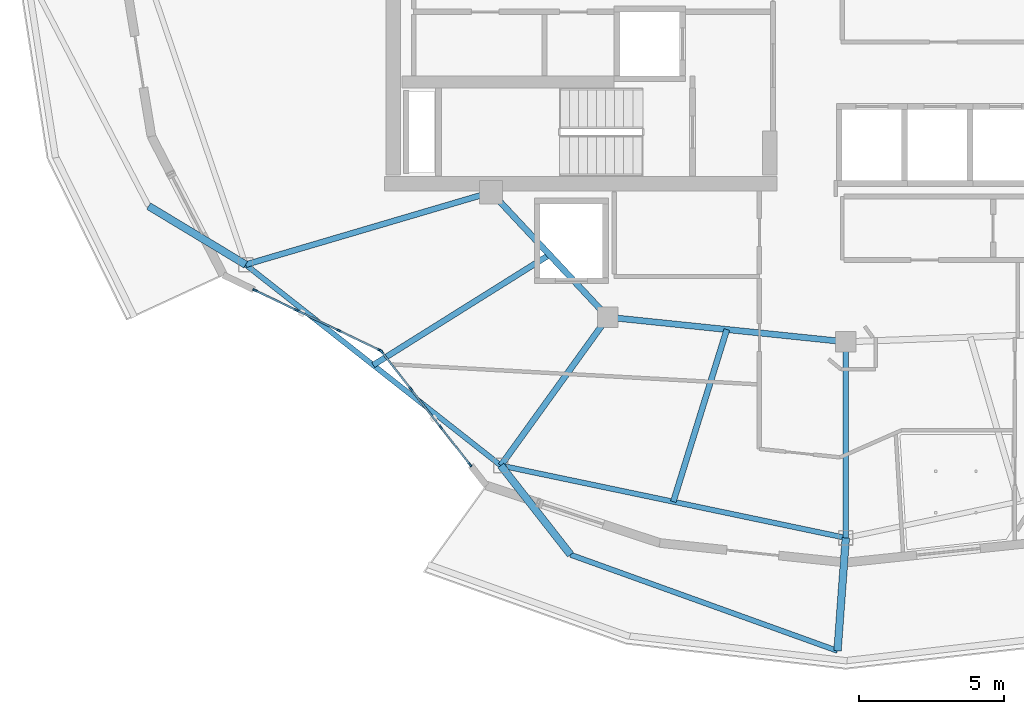
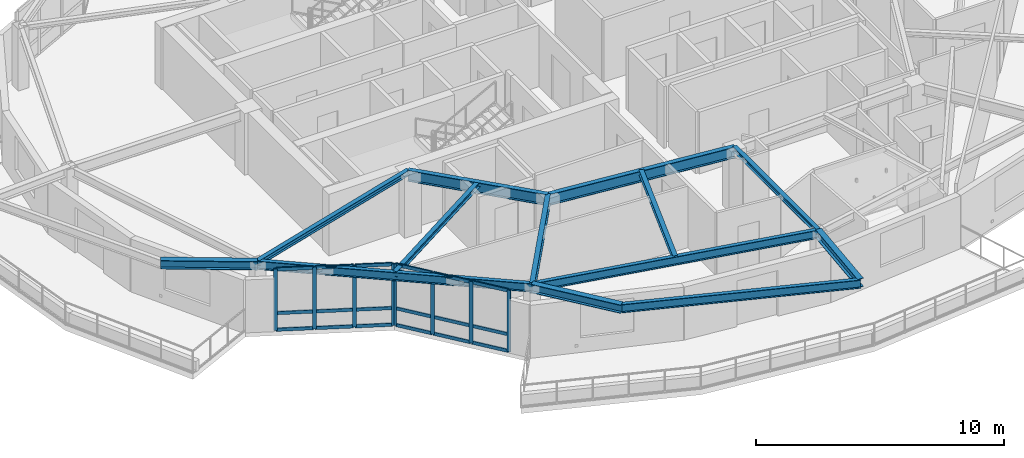
# One storey, part 2 of 19: 26 members, 13 beams, 2 elements without a shape of their own.
"""IFC4 building model written with IfcOpenShell, lengths in metres."""

from ifc_helpers import new_model, si_unit, direction, frame, origin, origin_2d, place, context, subcontext, project, spatial, rectangle, i_section, extrude, material, layer, layer_set, material_profile, profile_set, type_object, element, aggregate, save


model = new_model("IFC4")

# Units and contexts
model_context = context("Model", 3, precision=1e-05, world=origin(), true_north=direction((0.0, 1.0)))
body_context = subcontext(model_context, "Body", "Model", "MODEL_VIEW")
ifc_project = project(units=[si_unit("LENGTHUNIT", "METRE"), si_unit("AREAUNIT", "SQUARE_METRE"), si_unit("VOLUMEUNIT", "CUBIC_METRE"), si_unit("PLANEANGLEUNIT", "RADIAN"), si_unit("MASSUNIT", "GRAM", prefix="KILO")], contexts=[model_context])

# Site, building, storey
site_placement = place(None, origin())
site = spatial("IfcSite", under=ifc_project, at=site_placement, CompositionType="ELEMENT")
building_placement = place(site_placement, origin())
building = spatial("IfcBuilding", under=site, at=building_placement, Name="Kolvaren Gate Tower and Convention Centre", CompositionType="ELEMENT")
storey_placement = place(building_placement, frame((0.0, 0.0, 212.89990234375)))
storey = spatial("IfcBuildingStorey", under=building, at=storey_placement, Name="L56", CompositionType="ELEMENT", Elevation=212.89990234375)

# Curtain wall, members
ifc_material_1 = material(Name="Anodized Architectural Aluminium Alloy 6063-T6", Category="aluminium")
ifc_layer = layer(ifc_material_1, 0.159912109375)
ifc_layer_set = layer_set([ifc_layer], Name="Anodized Architectural Aluminium Alloy 6063-T6")
curtain_wall_type = type_object("IfcCurtainWallType", Name="CW-RES-UNIT", PredefinedType="NOTDEFINED", material=ifc_layer_set)
curtain_wall_1_placement = place(storey_placement, origin())
curtain_wall_1 = element("IfcCurtainWall", 1, at=curtain_wall_1_placement, inside=storey, type_object=curtain_wall_type, Name="Tower L56 Unitised Curtain Wall CW-RES-UNIT Bay 14", PredefinedType="NOTDEFINED")
ifc_material_profile_1 = material_profile(ifc_material_1, rectangle(XDim=0.06494140625, YDim=0.159912109375, at=origin_2d()), Name="CW-MEM-MUL-160")
ifc_profile_set_1 = profile_set([ifc_material_profile_1], Name="Anodized Architectural Aluminium Alloy 6063-T6")
member_type_1 = type_object("IfcMemberType", Name="CW-MEM-MUL-160", PredefinedType="MULLION", material=ifc_profile_set_1)
member_1_placement = place(storey_placement, frame((9.78466796875, 16.574462890625, 0.0), z_axis=(0.0, 0.0, 1.0), x_axis=(0.433065576861, 0.901362416644, 0.0)))
member_1 = element("IfcMember", 2, at=member_1_placement, type_object=member_type_1, Name="CW-04 mullion 1", PredefinedType="MULLION", context=body_context, shape_type="SweptSolid", body=[
    extrude(rectangle(XDim=0.06494140625, YDim=0.159912109375, at=origin_2d()), origin(), (0.0, 0.0, 1.0), 3.030029296875),
])
member_2_placement = place(storey_placement, frame((11.20947265625, 15.889892578125, 0.0), z_axis=(0.0, 0.0, 1.0), x_axis=(0.433065576861, 0.901362416644, 0.0)))
member_2 = element("IfcMember", 3, at=member_2_placement, type_object=member_type_1, Name="CW-04 mullion 2", PredefinedType="MULLION", context=body_context, shape_type="SweptSolid", body=[
    extrude(rectangle(XDim=0.06494140625, YDim=0.159912109375, at=origin_2d()), origin(), (0.0, 0.0, 1.0), 3.030029296875),
])
member_3_placement = place(storey_placement, frame((12.66357421875, 15.19140625, 0.0), z_axis=(0.0, 0.0, 1.0), x_axis=(0.433065576861, 0.901362416644, 0.0)))
member_3 = element("IfcMember", 4, at=member_3_placement, type_object=member_type_1, Name="CW-04 mullion 3", PredefinedType="MULLION", context=body_context, shape_type="SweptSolid", body=[
    extrude(rectangle(XDim=0.06494140625, YDim=0.159912109375, at=origin_2d()), origin(), (0.0, 0.0, 1.0), 3.030029296875),
])
member_4_placement = place(storey_placement, frame((14.088134765625, 14.5068359375, 0.0), z_axis=(0.0, 0.0, 1.0), x_axis=(0.433065576861, 0.901362416644, 0.0)))
member_4 = element("IfcMember", 5, at=member_4_placement, type_object=member_type_1, Name="CW-04 mullion 4", PredefinedType="MULLION", context=body_context, shape_type="SweptSolid", body=[
    extrude(rectangle(XDim=0.06494140625, YDim=0.159912109375, at=origin_2d()), origin(), (0.0, 0.0, 1.0), 3.030029296875),
])

curtain_wall_2_placement = place(storey_placement, origin())
curtain_wall_2 = element("IfcCurtainWall", 6, at=curtain_wall_2_placement, inside=storey, type_object=curtain_wall_type, Name="Tower L56 Unitised Curtain Wall CW-RES-UNIT Bay 15", PredefinedType="NOTDEFINED")
member_5_placement = place(storey_placement, frame((14.137451171875, 14.467041015625, 0.0), z_axis=(0.0, 0.0, 1.0), x_axis=(0.787409932974, 0.616429718179, 0.0)))
member_5 = element("IfcMember", 7, at=member_5_placement, type_object=member_type_1, Name="CW-04 mullion 1", PredefinedType="MULLION", context=body_context, shape_type="SweptSolid", body=[
    extrude(rectangle(XDim=0.06494140625, YDim=0.159912109375, at=origin_2d()), origin(), (0.0, 0.0, 1.0), 3.030029296875),
])
member_6_placement = place(storey_placement, frame((15.1484375, 13.17578125, 0.0), z_axis=(0.0, 0.0, 1.0), x_axis=(0.787409932974, 0.616429718179, 0.0)))
member_6 = element("IfcMember", 8, at=member_6_placement, type_object=member_type_1, Name="CW-04 mullion 2", PredefinedType="MULLION", context=body_context, shape_type="SweptSolid", body=[
    extrude(rectangle(XDim=0.06494140625, YDim=0.159912109375, at=origin_2d()), origin(), (0.0, 0.0, 1.0), 3.030029296875),
])
member_7_placement = place(storey_placement, frame((16.17919921875, 11.859130859375, 0.0), z_axis=(0.0, 0.0, 1.0), x_axis=(0.787409932974, 0.616429718179, 0.0)))
member_7 = element("IfcMember", 9, at=member_7_placement, type_object=member_type_1, Name="CW-04 mullion 3", PredefinedType="MULLION", context=body_context, shape_type="SweptSolid", body=[
    extrude(rectangle(XDim=0.06494140625, YDim=0.159912109375, at=origin_2d()), origin(), (0.0, 0.0, 1.0), 3.030029296875),
])
member_8_placement = place(storey_placement, frame((17.190185546875, 10.56787109375, 0.0), z_axis=(0.0, 0.0, 1.0), x_axis=(0.787409932974, 0.616429718179, 0.0)))
member_8 = element("IfcMember", 10, at=member_8_placement, type_object=member_type_1, Name="CW-04 mullion 4", PredefinedType="MULLION", context=body_context, shape_type="SweptSolid", body=[
    extrude(rectangle(XDim=0.06494140625, YDim=0.159912109375, at=origin_2d()), origin(), (0.0, 0.0, 1.0), 3.030029296875),
])

# Member
ifc_material_profile_2 = material_profile(ifc_material_1, rectangle(XDim=0.06494140625, YDim=0.159912109375, at=origin_2d()), Name="CW-MEM-TRN-160")
ifc_profile_set_2 = profile_set([ifc_material_profile_2], Name="Anodized Architectural Aluminium Alloy 6063-T6")
member_type_2 = type_object("IfcMemberType", Name="CW-MEM-TRN-160", PredefinedType="USERDEFINED", material=ifc_profile_set_2)
member_9_placement = place(storey_placement, frame((9.81396484375, 16.560302734375, 0.03271484375), z_axis=(0.901402369702, -0.432982410607, 0.0), x_axis=(0.432982410607, 0.901402369702, 0.0)))
member_9 = element("IfcMember", 11, at=member_9_placement, type_object=member_type_2, Name="CW-04 transom 1.1", ObjectType="TRANSOM", PredefinedType="USERDEFINED", context=body_context, shape_type="SweptSolid", body=[
    extrude(rectangle(XDim=0.06494140625, YDim=0.159912109375, at=origin_2d()), origin(), (0.0, 0.0, 1.0), 1.515625),
])

member_10_placement = place(storey_placement, frame((9.81396484375, 16.560302734375, 0.85009765625), z_axis=(0.901402369702, -0.432982410607, 0.0), x_axis=(0.432982410607, 0.901402369702, 0.0)))
member_10 = element("IfcMember", 12, at=member_10_placement, type_object=member_type_2, Name="CW-04 transom 1.2", ObjectType="TRANSOM", PredefinedType="USERDEFINED", context=body_context, shape_type="SweptSolid", body=[
    extrude(rectangle(XDim=0.06494140625, YDim=0.159912109375, at=origin_2d()), origin(), (0.0, 0.0, 1.0), 1.515625),
])

member_11_placement = place(storey_placement, frame((9.81396484375, 16.560302734375, 2.99755859375), z_axis=(0.901402369702, -0.432982410607, 0.0), x_axis=(0.432982410607, 0.901402369702, 0.0)))
member_11 = element("IfcMember", 13, at=member_11_placement, type_object=member_type_2, Name="CW-04 transom 1.3", ObjectType="TRANSOM", PredefinedType="USERDEFINED", context=body_context, shape_type="SweptSolid", body=[
    extrude(rectangle(XDim=0.06494140625, YDim=0.159912109375, at=origin_2d()), origin(), (0.0, 0.0, 1.0), 1.515625),
])

member_12_placement = place(storey_placement, frame((11.23876953125, 15.875732421875, 0.03271484375), z_axis=(0.901380283866, -0.433028386896, 0.0), x_axis=(0.433028386896, 0.901380283866, 0.0)))
member_12 = element("IfcMember", 14, at=member_12_placement, type_object=member_type_2, Name="CW-04 transom 2.1", ObjectType="TRANSOM", PredefinedType="USERDEFINED", context=body_context, shape_type="SweptSolid", body=[
    extrude(rectangle(XDim=0.06494140625, YDim=0.159912109375, at=origin_2d()), origin(), (0.0, 0.0, 1.0), 1.548095703125),
])

member_13_placement = place(storey_placement, frame((11.23876953125, 15.875732421875, 0.85009765625), z_axis=(0.901380283866, -0.433028386896, 0.0), x_axis=(0.433028386896, 0.901380283866, 0.0)))
member_13 = element("IfcMember", 15, at=member_13_placement, type_object=member_type_2, Name="CW-04 transom 2.2", ObjectType="TRANSOM", PredefinedType="USERDEFINED", context=body_context, shape_type="SweptSolid", body=[
    extrude(rectangle(XDim=0.06494140625, YDim=0.159912109375, at=origin_2d()), origin(), (0.0, 0.0, 1.0), 1.548095703125),
])

member_14_placement = place(storey_placement, frame((11.23876953125, 15.875732421875, 2.99755859375), z_axis=(0.901380283866, -0.433028386896, 0.0), x_axis=(0.433028386896, 0.901380283866, 0.0)))
member_14 = element("IfcMember", 16, at=member_14_placement, type_object=member_type_2, Name="CW-04 transom 2.3", ObjectType="TRANSOM", PredefinedType="USERDEFINED", context=body_context, shape_type="SweptSolid", body=[
    extrude(rectangle(XDim=0.06494140625, YDim=0.159912109375, at=origin_2d()), origin(), (0.0, 0.0, 1.0), 1.548095703125),
])

member_15_placement = place(storey_placement, frame((12.69287109375, 15.17724609375, 0.03271484375), z_axis=(0.901309275583, -0.433176164797, 0.0), x_axis=(0.433176164797, 0.901309275583, 0.0)))
member_15 = element("IfcMember", 17, at=member_15_placement, type_object=member_type_2, Name="CW-04 transom 3.1", ObjectType="TRANSOM", PredefinedType="USERDEFINED", context=body_context, shape_type="SweptSolid", body=[
    extrude(rectangle(XDim=0.06494140625, YDim=0.159912109375, at=origin_2d()), origin(), (0.0, 0.0, 1.0), 1.515625),
])

member_16_placement = place(storey_placement, frame((12.69287109375, 15.17724609375, 0.85009765625), z_axis=(0.901309275583, -0.433176164797, 0.0), x_axis=(0.433176164797, 0.901309275583, 0.0)))
member_16 = element("IfcMember", 18, at=member_16_placement, type_object=member_type_2, Name="CW-04 transom 3.2", ObjectType="TRANSOM", PredefinedType="USERDEFINED", context=body_context, shape_type="SweptSolid", body=[
    extrude(rectangle(XDim=0.06494140625, YDim=0.159912109375, at=origin_2d()), origin(), (0.0, 0.0, 1.0), 1.515625),
])

member_17_placement = place(storey_placement, frame((12.69287109375, 15.17724609375, 2.99755859375), z_axis=(0.901309275583, -0.433176164797, 0.0), x_axis=(0.433176164797, 0.901309275583, 0.0)))
member_17 = element("IfcMember", 19, at=member_17_placement, type_object=member_type_2, Name="CW-04 transom 3.3", ObjectType="TRANSOM", PredefinedType="USERDEFINED", context=body_context, shape_type="SweptSolid", body=[
    extrude(rectangle(XDim=0.06494140625, YDim=0.159912109375, at=origin_2d()), origin(), (0.0, 0.0, 1.0), 1.515625),
])

aggregate(curtain_wall_1, [member_1, member_2, member_3, member_4, member_9, member_10, member_11, member_12, member_13, member_14, member_15, member_16, member_17])

member_18_placement = place(storey_placement, frame((14.157470703125, 14.44140625, 0.03271484375), z_axis=(0.616513055725, -0.787344684443, 0.0), x_axis=(0.787344684443, 0.616513055725, 0.0)))
member_18 = element("IfcMember", 20, at=member_18_placement, type_object=member_type_2, Name="CW-04 transom 1.1", ObjectType="TRANSOM", PredefinedType="USERDEFINED", context=body_context, shape_type="SweptSolid", body=[
    extrude(rectangle(XDim=0.06494140625, YDim=0.159912109375, at=origin_2d()), origin(), (0.0, 0.0, 1.0), 1.574951171875),
])

member_19_placement = place(storey_placement, frame((14.157470703125, 14.44140625, 0.85009765625), z_axis=(0.616513055725, -0.787344684443, 0.0), x_axis=(0.787344684443, 0.616513055725, 0.0)))
member_19 = element("IfcMember", 21, at=member_19_placement, type_object=member_type_2, Name="CW-04 transom 1.2", ObjectType="TRANSOM", PredefinedType="USERDEFINED", context=body_context, shape_type="SweptSolid", body=[
    extrude(rectangle(XDim=0.06494140625, YDim=0.159912109375, at=origin_2d()), origin(), (0.0, 0.0, 1.0), 1.574951171875),
])

member_20_placement = place(storey_placement, frame((14.157470703125, 14.44140625, 2.99755859375), z_axis=(0.616513055725, -0.787344684443, 0.0), x_axis=(0.787344684443, 0.616513055725, 0.0)))
member_20 = element("IfcMember", 22, at=member_20_placement, type_object=member_type_2, Name="CW-04 transom 1.3", ObjectType="TRANSOM", PredefinedType="USERDEFINED", context=body_context, shape_type="SweptSolid", body=[
    extrude(rectangle(XDim=0.06494140625, YDim=0.159912109375, at=origin_2d()), origin(), (0.0, 0.0, 1.0), 1.574951171875),
])

member_21_placement = place(storey_placement, frame((15.16845703125, 13.150390625, 0.03271484375), z_axis=(0.616398363045, -0.787434478567, 0.0), x_axis=(0.787434478567, 0.616398363045, 0.0)))
member_21 = element("IfcMember", 23, at=member_21_placement, type_object=member_type_2, Name="CW-04 transom 2.1", ObjectType="TRANSOM", PredefinedType="USERDEFINED", context=body_context, shape_type="SweptSolid", body=[
    extrude(rectangle(XDim=0.06494140625, YDim=0.159912109375, at=origin_2d()), origin(), (0.0, 0.0, 1.0), 1.607177734375),
])

member_22_placement = place(storey_placement, frame((15.16845703125, 13.150390625, 0.85009765625), z_axis=(0.616398363045, -0.787434478567, 0.0), x_axis=(0.787434478567, 0.616398363045, 0.0)))
member_22 = element("IfcMember", 24, at=member_22_placement, type_object=member_type_2, Name="CW-04 transom 2.2", ObjectType="TRANSOM", PredefinedType="USERDEFINED", context=body_context, shape_type="SweptSolid", body=[
    extrude(rectangle(XDim=0.06494140625, YDim=0.159912109375, at=origin_2d()), origin(), (0.0, 0.0, 1.0), 1.607177734375),
])

member_23_placement = place(storey_placement, frame((15.16845703125, 13.150390625, 2.99755859375), z_axis=(0.616398363045, -0.787434478567, 0.0), x_axis=(0.787434478567, 0.616398363045, 0.0)))
member_23 = element("IfcMember", 25, at=member_23_placement, type_object=member_type_2, Name="CW-04 transom 2.3", ObjectType="TRANSOM", PredefinedType="USERDEFINED", context=body_context, shape_type="SweptSolid", body=[
    extrude(rectangle(XDim=0.06494140625, YDim=0.159912109375, at=origin_2d()), origin(), (0.0, 0.0, 1.0), 1.607177734375),
])

member_24_placement = place(storey_placement, frame((16.19921875, 11.83349609375, 0.03271484375), z_axis=(0.616416943475, -0.787419933579, 0.0), x_axis=(0.787419933579, 0.616416943475, 0.0)))
member_24 = element("IfcMember", 26, at=member_24_placement, type_object=member_type_2, Name="CW-04 transom 3.1", ObjectType="TRANSOM", PredefinedType="USERDEFINED", context=body_context, shape_type="SweptSolid", body=[
    extrude(rectangle(XDim=0.06494140625, YDim=0.159912109375, at=origin_2d()), origin(), (0.0, 0.0, 1.0), 1.57470703125),
])

member_25_placement = place(storey_placement, frame((16.19921875, 11.83349609375, 0.85009765625), z_axis=(0.616416943475, -0.787419933579, 0.0), x_axis=(0.787419933579, 0.616416943475, 0.0)))
member_25 = element("IfcMember", 27, at=member_25_placement, type_object=member_type_2, Name="CW-04 transom 3.2", ObjectType="TRANSOM", PredefinedType="USERDEFINED", context=body_context, shape_type="SweptSolid", body=[
    extrude(rectangle(XDim=0.06494140625, YDim=0.159912109375, at=origin_2d()), origin(), (0.0, 0.0, 1.0), 1.57470703125),
])

member_26_placement = place(storey_placement, frame((16.19921875, 11.83349609375, 2.99755859375), z_axis=(0.616416943475, -0.787419933579, 0.0), x_axis=(0.787419933579, 0.616416943475, 0.0)))
member_26 = element("IfcMember", 28, at=member_26_placement, type_object=member_type_2, Name="CW-04 transom 3.3", ObjectType="TRANSOM", PredefinedType="USERDEFINED", context=body_context, shape_type="SweptSolid", body=[
    extrude(rectangle(XDim=0.06494140625, YDim=0.159912109375, at=origin_2d()), origin(), (0.0, 0.0, 1.0), 1.57470703125),
])

aggregate(curtain_wall_2, [member_5, member_6, member_7, member_8, member_18, member_19, member_20, member_21, member_22, member_23, member_24, member_25, member_26])

# Beams
ifc_material_2 = material(Name="Structural steel ASTM A992 Grade 345 MPa", Category="steel")
ifc_material_profile_3 = material_profile(ifc_material_2, i_section(OverallWidth=0.260009765625, OverallDepth=0.419921875, WebThickness=0.013427734375, FlangeThickness=0.0224609375, at=origin_2d()), Name="W410X132")
ifc_profile_set_3 = profile_set([ifc_material_profile_3], Name="Structural steel ASTM A992 Grade 345 MPa")
beam_type_1 = type_object("IfcBeamType", Name="STR-BM-W410X132", PredefinedType="BEAM", material=ifc_profile_set_3)
beam_1_placement = place(storey_placement, frame((9.462646484375, 17.456298828125, 2.820556640625), z_axis=(-0.856097890351, 0.516813701575, 0.0), x_axis=(-0.516813701575, -0.856097890351, 0.0)))
element("IfcBeam", 29, at=beam_1_placement, inside=storey, type_object=beam_type_1, Name="Tower L57 Planted Balcony Outrigger Cantilever BC-2B", PredefinedType="BEAM", context=body_context, shape_type="SweptSolid", body=[
    extrude(i_section(OverallWidth=0.260009765625, OverallDepth=0.419921875, WebThickness=0.013427734375, FlangeThickness=0.0224609375, at=origin_2d()), origin(), (0.0, 0.0, 1.0), 3.900146484375),
])
beam_2_placement = place(storey_placement, frame((18.247314453125, 10.5419921875, 2.820556640625), z_axis=(0.615984127809, -0.787758563449, 0.0), x_axis=(0.787758563449, 0.615984127809, 0.0)))
element("IfcBeam", 30, at=beam_2_placement, inside=storey, type_object=beam_type_1, Name="Tower L57 Planted Balcony Outrigger Cantilever BC-3A", PredefinedType="BEAM", context=body_context, shape_type="SweptSolid", body=[
    extrude(i_section(OverallWidth=0.260009765625, OverallDepth=0.419921875, WebThickness=0.013427734375, FlangeThickness=0.0224609375, at=origin_2d()), origin(), (0.0, 0.0, 1.0), 3.89990234375),
])
beam_3_placement = place(storey_placement, frame((30.125, 8.050048828125, 2.820556640625), z_axis=(-0.073177618762, -0.997318923972, 0.0), x_axis=(0.997318923972, -0.073177618762, 0.0)))
element("IfcBeam", 31, at=beam_3_placement, inside=storey, type_object=beam_type_1, Name="Tower L57 Planted Balcony Outrigger Cantilever BC-3B", PredefinedType="BEAM", context=body_context, shape_type="SweptSolid", body=[
    extrude(i_section(OverallWidth=0.260009765625, OverallDepth=0.419921875, WebThickness=0.013427734375, FlangeThickness=0.0224609375, at=origin_2d()), origin(), (0.0, 0.0, 1.0), 3.900146484375),
])
ifc_material_profile_4 = material_profile(ifc_material_2, i_section(OverallWidth=0.2119140625, OverallDepth=0.5439453125, WebThickness=0.01318359375, FlangeThickness=0.021240234375, at=origin_2d()), Name="W530X123")
ifc_profile_set_4 = profile_set([ifc_material_profile_4], Name="Structural steel ASTM A992 Grade 345 MPa")
beam_type_2 = type_object("IfcBeamType", Name="STR-BM-W530X123", PredefinedType="BEAM", material=ifc_profile_set_4)
beam_4_placement = place(storey_placement, frame((17.9140625, 19.949951171875, 2.758056640625), z_axis=(0.682557592987, -0.730831808459, 0.0), x_axis=(0.730831808459, 0.682557592987, 0.0)))
element("IfcBeam", 32, at=beam_4_placement, inside=storey, type_object=beam_type_2, Name="Tower L56 Primary Ring Girder G-06", PredefinedType="BEAM", context=body_context, shape_type="SweptSolid", body=[
    extrude(i_section(OverallWidth=0.2119140625, OverallDepth=0.5439453125, WebThickness=0.01318359375, FlangeThickness=0.021240234375, at=origin_2d()), origin(), (0.0, 0.0, 1.0), 5.88671875),
])
beam_5_placement = place(storey_placement, frame((21.93212890625, 15.647705078125, 2.758056640625), z_axis=(0.994690329115, -0.102913308978, 0.0), x_axis=(0.102913308978, 0.994690329115, 0.0)))
element("IfcBeam", 33, at=beam_5_placement, inside=storey, type_object=beam_type_2, Name="Tower L56 Primary Ring Girder G-07", PredefinedType="BEAM", context=body_context, shape_type="SweptSolid", body=[
    extrude(i_section(OverallWidth=0.2119140625, OverallDepth=0.5439453125, WebThickness=0.01318359375, FlangeThickness=0.021240234375, at=origin_2d()), origin(), (0.0, 0.0, 1.0), 8.236572265625),
])
beam_6_placement = place(storey_placement, frame((21.93212890625, 15.647705078125, 2.758056640625), z_axis=(-0.585214462319, -0.810878556316, 0.0), x_axis=(0.810878556316, -0.585214462319, 0.0)))
element("IfcBeam", 34, at=beam_6_placement, inside=storey, type_object=beam_type_2, Name="Tower L56 Radial Floor Girder RB-09", PredefinedType="BEAM", context=body_context, shape_type="SweptSolid", body=[
    extrude(i_section(OverallWidth=0.2119140625, OverallDepth=0.5439453125, WebThickness=0.01318359375, FlangeThickness=0.021240234375, at=origin_2d()), origin(), (0.0, 0.0, 1.0), 6.296630859375),
])
ifc_material_profile_5 = material_profile(ifc_material_2, i_section(OverallWidth=0.202880859375, OverallDepth=0.251953125, WebThickness=0.008056640625, FlangeThickness=0.013427734375, at=origin_2d()), Name="W250X58")
ifc_profile_set_5 = profile_set([ifc_material_profile_5], Name="Structural steel ASTM A992 Grade 345 MPa")
beam_type_3 = type_object("IfcBeamType", Name="STR-JS-W250X58", PredefinedType="JOIST", material=ifc_profile_set_5)
beam_7_placement = place(storey_placement, frame((17.9140625, 19.949951171875, 2.904052734375), z_axis=(-0.959121165581, -0.28299574155, 0.0), x_axis=(0.28299574155, -0.959121165581, 0.0)))
element("IfcBeam", 35, at=beam_7_placement, inside=storey, type_object=beam_type_3, Name="Tower L56 Radial Floor Girder RB-08", PredefinedType="JOIST", context=body_context, shape_type="SweptSolid", body=[
    extrude(i_section(OverallWidth=0.202880859375, OverallDepth=0.251953125, WebThickness=0.008056640625, FlangeThickness=0.013427734375, at=origin_2d()), origin(), (0.0, 0.0, 1.0), 8.8115234375),
])
beam_8_placement = place(storey_placement, frame((30.125, 14.800048828125, 2.904052734375), z_axis=(0.0, -1.0, 0.0), x_axis=(1.0, 0.0, 0.0)))
element("IfcBeam", 36, at=beam_8_placement, inside=storey, type_object=beam_type_3, Name="Tower L56 Radial Floor Girder RB-10", PredefinedType="JOIST", context=body_context, shape_type="SweptSolid", body=[
    extrude(i_section(OverallWidth=0.202880859375, OverallDepth=0.251953125, WebThickness=0.008056640625, FlangeThickness=0.013427734375, at=origin_2d()), origin(), (0.0, 0.0, 1.0), 6.75),
])
beam_9_placement = place(storey_placement, frame((19.923095703125, 17.798828125, 2.904052734375), z_axis=(-0.847559309278, -0.530700685186, 0.0), x_axis=(0.530700685186, -0.847559309278, 0.0)))
element("IfcBeam", 37, at=beam_9_placement, inside=storey, type_object=beam_type_3, Name="Tower L56 Secondary Composite Floor Joist J-08.1", PredefinedType="JOIST", context=body_context, shape_type="SweptSolid", body=[
    extrude(i_section(OverallWidth=0.202880859375, OverallDepth=0.251953125, WebThickness=0.008056640625, FlangeThickness=0.013427734375, at=origin_2d()), origin(), (0.0, 0.0, 1.0), 7.159423828125),
])
beam_10_placement = place(storey_placement, frame((26.028564453125, 15.223876953125, 2.904052734375), z_axis=(-0.296776485487, -0.954946971126, 0.0), x_axis=(0.954946971126, -0.296776485487, 0.0)))
element("IfcBeam", 38, at=beam_10_placement, inside=storey, type_object=beam_type_3, Name="Tower L56 Secondary Composite Floor Joist J-09.1", PredefinedType="JOIST", context=body_context, shape_type="SweptSolid", body=[
    extrude(i_section(OverallWidth=0.202880859375, OverallDepth=0.251953125, WebThickness=0.008056640625, FlangeThickness=0.013427734375, at=origin_2d()), origin(), (0.0, 0.0, 1.0), 6.207763671875),
])
ifc_material_profile_6 = material_profile(ifc_material_2, i_section(OverallWidth=0.180908203125, OverallDepth=0.4169921875, WebThickness=0.010986328125, FlangeThickness=0.018310546875, at=origin_2d()), Name="W410X85")
ifc_profile_set_6 = profile_set([ifc_material_profile_6], Name="Structural steel ASTM A992 Grade 345 MPa")
beam_type_4 = type_object("IfcBeamType", Name="STR-SP-W410X85", PredefinedType="SPANDREL", material=ifc_profile_set_6)
beam_11_placement = place(storey_placement, frame((9.462646484375, 17.456298828125, 2.821533203125), z_axis=(0.78579365551, -0.618488747643, 0.0), x_axis=(0.618488747643, 0.78579365551, 0.0)))
element("IfcBeam", 39, at=beam_11_placement, inside=storey, type_object=beam_type_4, Name="Tower L56 Perimeter Spandrel Beam SP-08", PredefinedType="SPANDREL", context=body_context, shape_type="SweptSolid", body=[
    extrude(i_section(OverallWidth=0.180908203125, OverallDepth=0.4169921875, WebThickness=0.010986328125, FlangeThickness=0.018310546875, at=origin_2d()), origin(), (0.0, 0.0, 1.0), 11.179443359375),
])
beam_12_placement = place(storey_placement, frame((18.247314453125, 10.5419921875, 2.821533203125), z_axis=(0.978692765917, -0.205330148645, 0.0), x_axis=(0.205330148645, 0.978692765917, 0.0)))
element("IfcBeam", 40, at=beam_12_placement, inside=storey, type_object=beam_type_4, Name="Tower L56 Perimeter Spandrel Beam SP-09", PredefinedType="SPANDREL", context=body_context, shape_type="SweptSolid", body=[
    extrude(i_section(OverallWidth=0.180908203125, OverallDepth=0.4169921875, WebThickness=0.010986328125, FlangeThickness=0.018310546875, at=origin_2d()), origin(), (0.0, 0.0, 1.0), 12.13623046875),
])
beam_13_placement = place(storey_placement, frame((20.649658203125, 7.4697265625, 2.822021484375), z_axis=(0.940856500711, -0.338805320311, 0.0), x_axis=(0.338805320311, 0.940856500711, 0.0)))
element("IfcBeam", 41, at=beam_13_placement, inside=storey, type_object=beam_type_4, Name="Tower L57 Planted Balcony Header Tie Beam BT-3", PredefinedType="SPANDREL", context=body_context, shape_type="SweptSolid", body=[
    extrude(i_section(OverallWidth=0.180908203125, OverallDepth=0.4169921875, WebThickness=0.010986328125, FlangeThickness=0.018310546875, at=origin_2d()), origin(), (0.0, 0.0, 1.0), 9.767578125),
])

save(model, "model.ifc")
